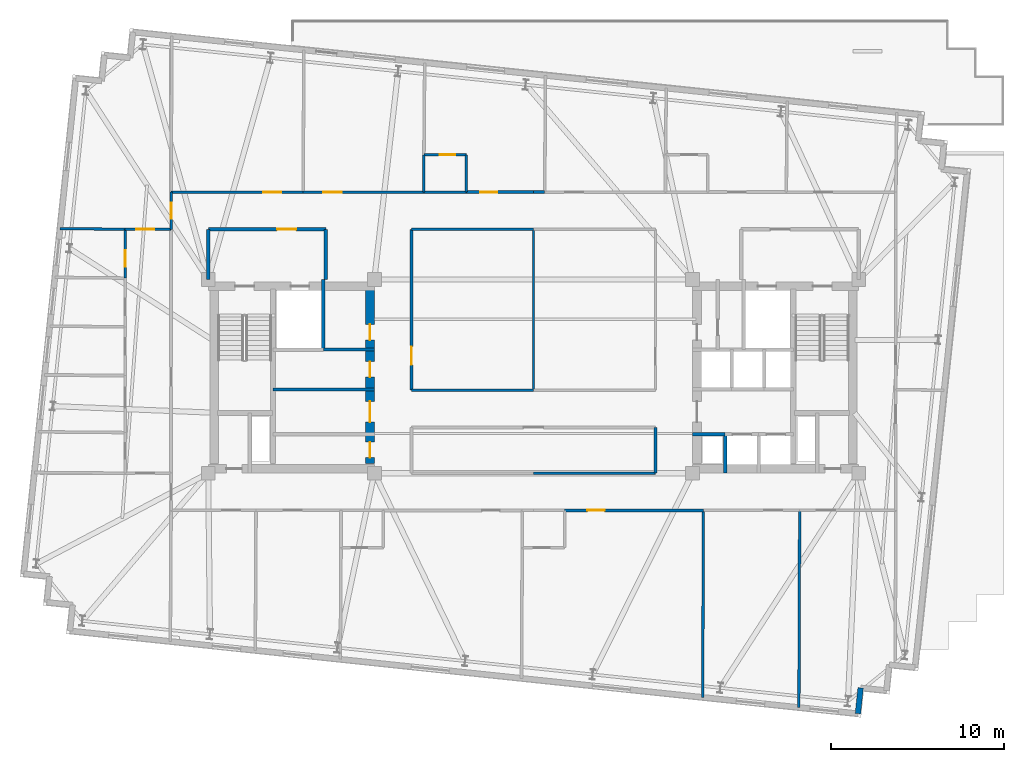
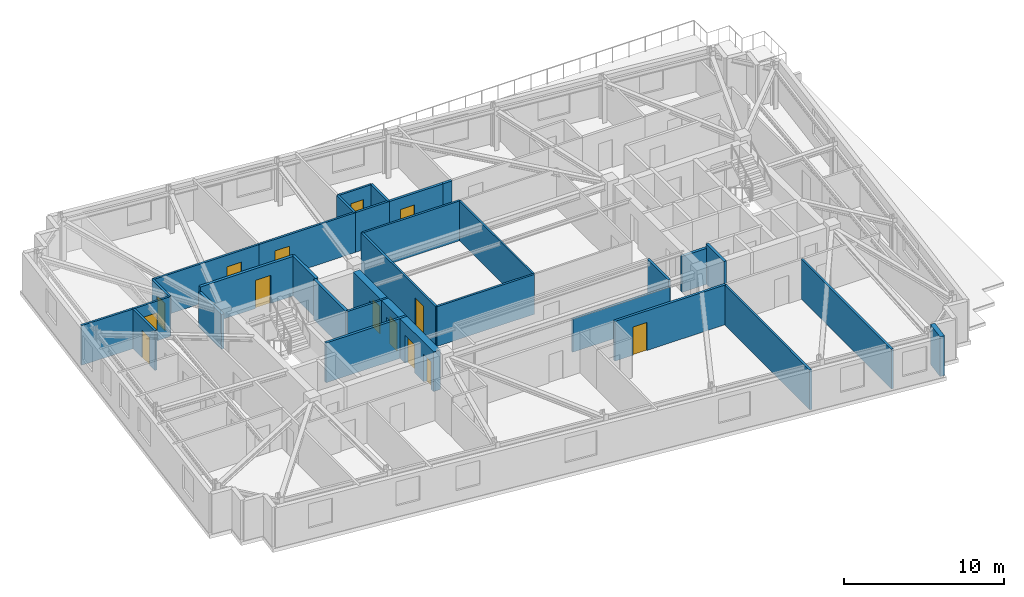
# One storey, part 7 of 13: 31 walls, 14 doors, 14 openings.
"""IFC4 building model written with IfcOpenShell, lengths in metres."""

from ifc_helpers import new_model, si_unit, direction, frame, frame_2d, origin, place, context, subcontext, project, spatial, rectangle, extrude, material, layer, layer_set, type_object, element, fill, save


model = new_model("IFC4")

# Units and contexts
model_context = context("Model", 3, precision=1e-05, world=origin(), true_north=direction((0.0, 1.0)))
body_context = subcontext(model_context, "Body", "Model", "MODEL_VIEW")
ifc_project = project(units=[si_unit("LENGTHUNIT", "METRE"), si_unit("AREAUNIT", "SQUARE_METRE"), si_unit("VOLUMEUNIT", "CUBIC_METRE"), si_unit("PLANEANGLEUNIT", "RADIAN"), si_unit("MASSUNIT", "GRAM", prefix="KILO")], contexts=[model_context])

# Site, building, storey
site_placement = place(None, origin())
site = spatial("IfcSite", under=ifc_project, at=site_placement, CompositionType="ELEMENT")
building_placement = place(site_placement, origin())
building = spatial("IfcBuilding", under=site, at=building_placement, Name="Qobustan Lattice House", CompositionType="ELEMENT")
storey_placement = place(building_placement, frame((0.0, 0.0, 179.64990234375)))
storey = spatial("IfcBuildingStorey", under=building, at=storey_placement, Name="L50", CompositionType="ELEMENT", Elevation=179.64990234375)

# Wall, openings, doors
ifc_material_1 = material(Name="Concrete C50/60", Category="concrete")
ifc_layer_1 = layer(ifc_material_1, 0.5)
ifc_layer_set_1 = layer_set([ifc_layer_1], Name="Concrete C50/60")
wall_type_1 = type_object("IfcWallType", Name="WAL-CORE-500", PredefinedType="SHEAR", material=ifc_layer_set_1)
wall_1_placement = place(storey_placement, frame((-9.449951171875, -5.050048828125, 0.0), z_axis=(0.0, 0.0, 1.0), x_axis=(0.0, 1.0, 0.0)))
wall_1 = element("IfcWall", 1, at=wall_1_placement, inside=storey, type_object=wall_type_1, Name="L50 split-core shear wall CW-E", PredefinedType="SHEAR", context=body_context, shape_type="SweptSolid", body=[
    extrude(rectangle(XDim=10.10009765625, YDim=0.5, at=frame_2d((5.050048828125, 0.0))), origin(), (0.0, 0.0, 1.0), 3.0400390625),
])
opening_1_placement = place(wall_1_placement, frame((7.14990234375, 0.0, 0.0)))
opening_1 = element("IfcOpeningElement", 2, at=opening_1_placement, cuts=wall_1, Name="Opening RD-01", PredefinedType="OPENING", context=body_context, shape_type="SweptSolid", body=[
    extrude(rectangle(XDim=0.89990234375, YDim=2.10009765625, at=frame_2d((0.449951171875, 1.050048828125))), frame((0.0, 0.260009765625, 0.0), z_axis=(0.0, -1.0, 0.0), x_axis=(1.0, 0.0, 0.0)), (0.0, 0.0, 1.0), 0.52001953125),
])
opening_2_placement = place(wall_1_placement, frame((2.39990234375, 0.0, 0.0)))
opening_2 = element("IfcOpeningElement", 3, at=opening_2_placement, cuts=wall_1, Name="Opening FD-01", PredefinedType="OPENING", context=body_context, shape_type="SweptSolid", body=[
    extrude(rectangle(XDim=1.199951171875, YDim=2.14990234375, at=frame_2d((0.60009765625, 1.074951171875))), frame((0.0, 0.260009765625, 0.0), z_axis=(0.0, -1.0, 0.0), x_axis=(1.0, 0.0, 0.0)), (0.0, 0.0, 1.0), 0.52001953125),
])
opening_3_placement = place(wall_1_placement, frame((0.35009765625, 0.0, 0.0)))
opening_3 = element("IfcOpeningElement", 4, at=opening_3_placement, cuts=wall_1, Name="Opening RD-01", PredefinedType="OPENING", context=body_context, shape_type="SweptSolid", body=[
    extrude(rectangle(XDim=0.89990234375, YDim=2.10009765625, at=frame_2d((0.449951171875, 1.050048828125))), frame((0.0, 0.260009765625, 0.0), z_axis=(0.0, -1.0, 0.0), x_axis=(1.0, 0.0, 0.0)), (0.0, 0.0, 1.0), 0.52001953125),
])
opening_4_placement = place(wall_1_placement, frame((5.0, 0.0, 0.0)))
opening_4 = element("IfcOpeningElement", 5, at=opening_4_placement, cuts=wall_1, Name="Opening RD-01", PredefinedType="OPENING", context=body_context, shape_type="SweptSolid", body=[
    extrude(rectangle(XDim=0.89990234375, YDim=2.10009765625, at=frame_2d((0.449951171875, 1.050048828125))), frame((0.0, 0.260009765625, 0.0), z_axis=(0.0, -1.0, 0.0), x_axis=(1.0, 0.0, 0.0)), (0.0, 0.0, 1.0), 0.52001953125),
])
ifc_material_2 = material(Name="Persian walnut timber and steel frame door", Category="steel")
door_type_1 = type_object("IfcDoorType", Name="DOR-LOBBY-FD-1200x2150", OperationType="NOTDEFINED", PredefinedType="DOOR", material=ifc_material_2)
door_1_placement = place(opening_2_placement, origin())
door_1 = element("IfcDoor", 6, at=door_1_placement, inside=storey, type_object=door_type_1, Name="L50 West core foyer fire door", OperationType="SINGLE_SWING_LEFT", OverallHeight=2.14990234375, OverallWidth=1.199951171875, PredefinedType="DOOR", context=body_context, shape_type="SweptSolid", body=[
    extrude(rectangle(XDim=1.199951171875, YDim=2.14990234375, at=frame_2d((0.60009765625, 1.074951171875))), frame((0.0, 0.02490234375, 0.0), z_axis=(0.0, -1.0, 0.0), x_axis=(1.0, 0.0, 0.0)), (0.0, 0.0, 1.0), 0.050048828125),
])
fill(opening_2, door_1)
ifc_material_3 = material(Name="Persian walnut timber and steel frame door", Category="steel")
door_type_2 = type_object("IfcDoorType", Name="DOR-RISER-FD-900x2100", OperationType="NOTDEFINED", PredefinedType="DOOR", material=ifc_material_3)
door_2_placement = place(opening_1_placement, origin())
door_2 = element("IfcDoor", 7, at=door_2_placement, inside=storey, type_object=door_type_2, Name="L50 Floor tea pantry fire door", OperationType="SINGLE_SWING_RIGHT", OverallHeight=2.10009765625, OverallWidth=0.89990234375, PredefinedType="DOOR", context=body_context, shape_type="SweptSolid", body=[
    extrude(rectangle(XDim=0.89990234375, YDim=2.10009765625, at=frame_2d((0.449951171875, 1.050048828125))), frame((0.0, 0.02490234375, 0.0), z_axis=(0.0, -1.0, 0.0), x_axis=(1.0, 0.0, 0.0)), (0.0, 0.0, 1.0), 0.050048828125),
])
fill(opening_1, door_2)
door_3_placement = place(opening_3_placement, origin())
door_3 = element("IfcDoor", 8, at=door_3_placement, inside=storey, type_object=door_type_2, Name="L50 Tutorial seminar salon fire door", OperationType="SINGLE_SWING_RIGHT", OverallHeight=2.10009765625, OverallWidth=0.89990234375, PredefinedType="DOOR", context=body_context, shape_type="SweptSolid", body=[
    extrude(rectangle(XDim=0.89990234375, YDim=2.10009765625, at=frame_2d((0.449951171875, 1.050048828125))), frame((0.0, 0.02490234375, 0.0), z_axis=(0.0, -1.0, 0.0), x_axis=(1.0, 0.0, 0.0)), (0.0, 0.0, 1.0), 0.050048828125),
])
fill(opening_3, door_3)
door_4_placement = place(opening_4_placement, origin())
door_4 = element("IfcDoor", 9, at=door_4_placement, inside=storey, type_object=door_type_2, Name="L50 Copy and tea hub fire door", OperationType="SINGLE_SWING_LEFT", OverallHeight=2.10009765625, OverallWidth=0.89990234375, PredefinedType="DOOR", context=body_context, shape_type="SweptSolid", body=[
    extrude(rectangle(XDim=0.89990234375, YDim=2.10009765625, at=frame_2d((0.449951171875, 1.050048828125))), frame((0.0, 0.02490234375, 0.0), z_axis=(0.0, -1.0, 0.0), x_axis=(1.0, 0.0, 0.0)), (0.0, 0.0, 1.0), 0.050048828125),
])
fill(opening_4, door_4)

# Walls
ifc_material_4 = material(Name="Precast concrete C40/50", Category="concrete")
ifc_layer_2 = layer(ifc_material_4, 0.320068359375)
ifc_layer_set_2 = layer_set([ifc_layer_2], Name="Precast concrete C40/50")
wall_type_2 = type_object("IfcWallType", Name="WAL-EXT-STONE-320", PredefinedType="SOLIDWALL", material=ifc_layer_set_2)
wall_2_placement = place(storey_placement, frame((18.91259765625, -18.006591796875, 0.0), z_axis=(0.0, 0.0, 1.0), x_axis=(-0.104498377516, -0.994525057048, 0.0)))
element("IfcWall", 10, at=wall_2_placement, inside=storey, type_object=wall_type_2, Name="L50 exterior limestone-clad wall 19", PredefinedType="SOLIDWALL", context=body_context, shape_type="SweptSolid", body=[
    extrude(rectangle(XDim=1.5, YDim=0.320068359375, at=frame_2d((0.75, 0.0))), origin(), (0.0, 0.0, 1.0), 3.0400390625),
])
ifc_material_5 = material(Name="Gypsum fireboard acoustic partition", Category="gypsum")
ifc_layer_3 = layer(ifc_material_5, 0.179931640625)
ifc_layer_set_3 = layer_set([ifc_layer_3], Name="Gypsum fireboard acoustic partition")
wall_type_3 = type_object("IfcWallType", Name="WAL-FIRE-180", PredefinedType="PARTITIONING", material=ifc_layer_set_3)
wall_3_placement = place(storey_placement, frame((-9.199951171875, -0.75, 0.0), z_axis=(0.0, 0.0, 1.0), x_axis=(-1.0, 0.0, 0.0)))
element("IfcWall", 11, at=wall_3_placement, inside=storey, type_object=wall_type_3, Name="L50 interior partition 9", PredefinedType="PARTITIONING", context=body_context, shape_type="SweptSolid", body=[
    extrude(rectangle(XDim=5.85009765625, YDim=0.179931640625, at=frame_2d((2.925048828125, 0.0))), origin(), (0.0, 0.0, 1.0), 3.0400390625),
])

# Wall, opening, door
wall_4_placement = place(storey_placement, frame((-3.883056640625, 10.64990234375, 0.0), z_axis=(0.0, 0.0, 1.0), x_axis=(1.0, 0.0, 0.0)))
wall_4 = element("IfcWall", 12, at=wall_4_placement, inside=storey, type_object=wall_type_3, Name="L50 interior partition 34", PredefinedType="PARTITIONING", context=body_context, shape_type="SweptSolid", body=[
    extrude(rectangle(XDim=3.883056640625, YDim=0.179931640625, at=frame_2d((1.94140625, 0.0))), origin(), (0.0, 0.0, 1.0), 3.0400390625),
])
opening_5_placement = place(wall_4_placement, frame((0.79541015625, 0.0, 0.0)))
opening_5 = element("IfcOpeningElement", 13, at=opening_5_placement, cuts=wall_4, Name="Opening FD-02", PredefinedType="OPENING", context=body_context, shape_type="SweptSolid", body=[
    extrude(rectangle(XDim=1.0, YDim=2.14990234375, at=frame_2d((0.5, 1.074951171875))), frame((0.0, 0.099853515625, 0.0), z_axis=(0.0, -1.0, 0.0), x_axis=(1.0, 0.0, 0.0)), (0.0, 0.0, 1.0), 0.199951171875),
])
ifc_material_6 = material(Name="Persian walnut timber and steel frame door", Category="steel")
door_type_3 = type_object("IfcDoorType", Name="DOR-UNIT-FD-1000x2150", OperationType="NOTDEFINED", PredefinedType="DOOR", material=ifc_material_6)
door_5_placement = place(opening_5_placement, origin())
door_5 = element("IfcDoor", 14, at=door_5_placement, inside=storey, type_object=door_type_3, Name="L50 North-west floor corridor to Kitchenette and studio apartment L50-N3 door", OperationType="SINGLE_SWING_LEFT", OverallHeight=2.14990234375, OverallWidth=1.0, PredefinedType="DOOR", context=body_context, shape_type="SweptSolid", body=[
    extrude(rectangle(XDim=1.0, YDim=2.14990234375, at=frame_2d((0.5, 1.074951171875))), frame((0.0, 0.02490234375, 0.0), z_axis=(0.0, -1.0, 0.0), x_axis=(1.0, 0.0, 0.0)), (0.0, 0.0, 1.0), 0.050048828125),
])
fill(opening_5, door_5)

# Wall
wall_5_placement = place(storey_placement, frame((0.0, 10.64990234375, 0.0), z_axis=(0.0, 0.0, 1.0), x_axis=(1.0, 0.0, 0.0)))
element("IfcWall", 15, at=wall_5_placement, inside=storey, type_object=wall_type_3, Name="L50 interior partition 38", PredefinedType="PARTITIONING", context=body_context, shape_type="SweptSolid", body=[
    extrude(rectangle(XDim=0.64990234375, YDim=0.179931640625, at=frame_2d((0.324951171875, 0.0))), origin(), (0.0, 0.0, 1.0), 3.0400390625),
])

# Wall, opening, door
wall_6_placement = place(storey_placement, frame((9.824951171875, -7.75, 0.0), z_axis=(0.0, 0.0, 1.0), x_axis=(-1.0, 0.0, 0.0)))
wall_6 = element("IfcWall", 16, at=wall_6_placement, inside=storey, type_object=wall_type_3, Name="L50 interior partition 52", PredefinedType="PARTITIONING", context=body_context, shape_type="SweptSolid", body=[
    extrude(rectangle(XDim=8.02490234375, YDim=0.179931640625, at=frame_2d((4.012451171875, 0.0))), origin(), (0.0, 0.0, 1.0), 3.0400390625),
])
opening_6_placement = place(wall_6_placement, frame((5.7119140625, 0.0, 0.0)))
opening_6 = element("IfcOpeningElement", 17, at=opening_6_placement, cuts=wall_6, Name="Opening FD-02", PredefinedType="OPENING", context=body_context, shape_type="SweptSolid", body=[
    extrude(rectangle(XDim=1.0, YDim=2.14990234375, at=frame_2d((0.5, 1.074951171875))), frame((0.0, 0.099853515625, 0.0), z_axis=(0.0, -1.0, 0.0), x_axis=(1.0, 0.0, 0.0)), (0.0, 0.0, 1.0), 0.199951171875),
])
door_6_placement = place(opening_6_placement, origin())
door_6 = element("IfcDoor", 18, at=door_6_placement, inside=storey, type_object=door_type_3, Name="L50 South-east floor corridor to Kitchenette and studio apartment L50-S3 door", OperationType="SINGLE_SWING_LEFT", OverallHeight=2.14990234375, OverallWidth=1.0, PredefinedType="DOOR", context=body_context, shape_type="SweptSolid", body=[
    extrude(rectangle(XDim=1.0, YDim=2.14990234375, at=frame_2d((0.5, 1.074951171875))), frame((0.0, 0.02490234375, 0.0), z_axis=(0.0, -1.0, 0.0), x_axis=(1.0, 0.0, 0.0)), (0.0, 0.0, 1.0), 0.050048828125),
])
fill(opening_6, door_6)

# Walls
ifc_material_7 = material(Name="Lightweight acoustic stud partition", Category="gypsum")
ifc_layer_4 = layer(ifc_material_7, 0.125)
ifc_layer_set_4 = layer_set([ifc_layer_4], Name="Lightweight acoustic stud partition")
wall_type_4 = type_object("IfcWallType", Name="WAL-PART-125", PredefinedType="PARTITIONING", material=ifc_layer_set_4)
wall_7_placement = place(storey_placement, frame((0.0, 8.5, 0.0), z_axis=(0.0, 0.0, 1.0), x_axis=(0.0, -1.0, 0.0)))
element("IfcWall", 19, at=wall_7_placement, inside=storey, type_object=wall_type_4, Name="L50 interior partition 107", PredefinedType="PARTITIONING", context=body_context, shape_type="SweptSolid", body=[
    extrude(rectangle(XDim=9.300048828125, YDim=0.125, at=frame_2d((4.64990234375, 0.0))), origin(), (0.0, 0.0, 1.0), 3.0400390625),
])
ifc_material_8 = material(Name="Acoustic twin-stud gypsum partition", Category="gypsum")
ifc_layer_5 = layer(ifc_material_8, 0.14990234375)
ifc_layer_set_5 = layer_set([ifc_layer_5], Name="Acoustic twin-stud gypsum partition")
wall_type_5 = type_object("IfcWallType", Name="WAL-PART-150", PredefinedType="PARTITIONING", material=ifc_layer_set_5)
wall_8_placement = place(storey_placement, frame((-12.14990234375, 1.550048828125, 0.0), z_axis=(0.0, 0.0, 1.0), x_axis=(1.0, 0.0, 0.0)))
element("IfcWall", 20, at=wall_8_placement, inside=storey, type_object=wall_type_5, Name="L50 interior partition 6", PredefinedType="PARTITIONING", context=body_context, shape_type="SweptSolid", body=[
    extrude(rectangle(XDim=2.949951171875, YDim=0.14990234375, at=frame_2d((1.47509765625, 0.0))), origin(), (0.0, 0.0, 1.0), 3.0400390625),
])

# Wall, opening, door
wall_9_placement = place(storey_placement, frame((-20.949951171875, 8.5, 0.0), z_axis=(0.0, 0.0, 1.0), x_axis=(0.0, 1.0, 0.0)))
wall_9 = element("IfcWall", 21, at=wall_9_placement, inside=storey, type_object=wall_type_5, Name="L50 interior partition 31", PredefinedType="PARTITIONING", context=body_context, shape_type="SweptSolid", body=[
    extrude(rectangle(XDim=2.14990234375, YDim=0.14990234375, at=frame_2d((1.074951171875, 0.0))), origin(), (0.0, 0.0, 1.0), 3.0400390625),
])
opening_7_placement = place(wall_9_placement, frame((0.625, 0.0, 0.0)))
opening_7 = element("IfcOpeningElement", 22, at=opening_7_placement, cuts=wall_9, Name="Opening WD-01", PredefinedType="OPENING", context=body_context, shape_type="SweptSolid", body=[
    extrude(rectangle(XDim=0.89990234375, YDim=2.10009765625, at=frame_2d((0.449951171875, 1.050048828125))), frame((0.0, 0.0849609375, 0.0), z_axis=(0.0, -1.0, 0.0), x_axis=(1.0, 0.0, 0.0)), (0.0, 0.0, 1.0), 0.169921875),
])
ifc_material_9 = material(Name="Persian walnut timber and steel frame door", Category="steel")
door_type_4 = type_object("IfcDoorType", Name="DOR-WET-900x2100", OperationType="NOTDEFINED", PredefinedType="DOOR", material=ifc_material_9)
door_7_placement = place(opening_7_placement, origin())
door_7 = element("IfcDoor", 23, at=door_7_placement, inside=storey, type_object=door_type_4, Name="L50 North-west floor corridor to Reading study room L50WN door", OperationType="SINGLE_SWING_RIGHT", OverallHeight=2.10009765625, OverallWidth=0.89990234375, PredefinedType="DOOR", context=body_context, shape_type="SweptSolid", body=[
    extrude(rectangle(XDim=0.89990234375, YDim=2.10009765625, at=frame_2d((0.449951171875, 1.050048828125))), frame((0.0, 0.02490234375, 0.0), z_axis=(0.0, -1.0, 0.0), x_axis=(1.0, 0.0, 0.0)), (0.0, 0.0, 1.0), 0.050048828125),
])
fill(opening_7, door_7)

wall_10_placement = place(storey_placement, frame((-20.949951171875, 10.64990234375, 0.0), z_axis=(0.0, 0.0, 1.0), x_axis=(1.0, 0.0, 0.0)))
wall_10 = element("IfcWall", 24, at=wall_10_placement, inside=storey, type_object=wall_type_5, Name="L50 interior partition 32", PredefinedType="PARTITIONING", context=body_context, shape_type="SweptSolid", body=[
    extrude(rectangle(XDim=7.633056640625, YDim=0.14990234375, at=frame_2d((3.81640625, 0.0))), origin(), (0.0, 0.0, 1.0), 3.0400390625),
])
opening_8_placement = place(wall_10_placement, frame((5.3251953125, 0.0, 0.0)))
opening_8 = element("IfcOpeningElement", 25, at=opening_8_placement, cuts=wall_10, Name="Opening ID-02", PredefinedType="OPENING", context=body_context, shape_type="SweptSolid", body=[
    extrude(rectangle(XDim=1.050048828125, YDim=2.14990234375, at=frame_2d((0.52490234375, 1.074951171875))), frame((0.0, 0.0849609375, 0.0), z_axis=(0.0, -1.0, 0.0), x_axis=(1.0, 0.0, 0.0)), (0.0, 0.0, 1.0), 0.169921875),
])
ifc_material_10 = material(Name="Persian walnut timber and steel frame door", Category="steel")
door_type_5 = type_object("IfcDoorType", Name="DOR-STUDY-1050x2150", OperationType="NOTDEFINED", PredefinedType="DOOR", material=ifc_material_10)
door_8_placement = place(opening_8_placement, origin())
door_8 = element("IfcDoor", 26, at=door_8_placement, inside=storey, type_object=door_type_5, Name="L50 North-west floor corridor to Focus study room N1 door", OperationType="SINGLE_SWING_LEFT", OverallHeight=2.14990234375, OverallWidth=1.050048828125, PredefinedType="DOOR", context=body_context, shape_type="SweptSolid", body=[
    extrude(rectangle(XDim=1.050048828125, YDim=2.14990234375, at=frame_2d((0.52490234375, 1.074951171875))), frame((0.0, 0.02490234375, 0.0), z_axis=(0.0, -1.0, 0.0), x_axis=(1.0, 0.0, 0.0)), (0.0, 0.0, 1.0), 0.050048828125),
])
fill(opening_8, door_8)

wall_11_placement = place(storey_placement, frame((-13.31689453125, 10.64990234375, 0.0), z_axis=(0.0, 0.0, 1.0), x_axis=(1.0, 0.0, 0.0)))
wall_11 = element("IfcWall", 27, at=wall_11_placement, inside=storey, type_object=wall_type_5, Name="L50 interior partition 33", PredefinedType="PARTITIONING", context=body_context, shape_type="SweptSolid", body=[
    extrude(rectangle(XDim=6.98388671875, YDim=0.14990234375, at=frame_2d((3.491943359375, 0.0))), origin(), (0.0, 0.0, 1.0), 3.0400390625),
])
opening_9_placement = place(wall_11_placement, frame((1.1767578125, 0.0, 0.0)))
opening_9 = element("IfcOpeningElement", 28, at=opening_9_placement, cuts=wall_11, Name="Opening ID-02", PredefinedType="OPENING", context=body_context, shape_type="SweptSolid", body=[
    extrude(rectangle(XDim=1.050048828125, YDim=2.14990234375, at=frame_2d((0.52490234375, 1.074951171875))), frame((0.0, 0.0849609375, 0.0), z_axis=(0.0, -1.0, 0.0), x_axis=(1.0, 0.0, 0.0)), (0.0, 0.0, 1.0), 0.169921875),
])
door_9_placement = place(opening_9_placement, origin())
door_9 = element("IfcDoor", 29, at=door_9_placement, inside=storey, type_object=door_type_5, Name="L50 North-west floor corridor to Sky terrace lounge N2 door", OperationType="SINGLE_SWING_RIGHT", OverallHeight=2.14990234375, OverallWidth=1.050048828125, PredefinedType="DOOR", context=body_context, shape_type="SweptSolid", body=[
    extrude(rectangle(XDim=1.050048828125, YDim=2.14990234375, at=frame_2d((0.52490234375, 1.074951171875))), frame((0.0, 0.02490234375, 0.0), z_axis=(0.0, -1.0, 0.0), x_axis=(1.0, 0.0, 0.0)), (0.0, 0.0, 1.0), 0.050048828125),
])
fill(opening_9, door_9)

# Walls
for number, where, z_axis, x_axis, name in (
    (30, (0.0, 8.5, 0.0), (0.0, 0.0, 1.0), (-1.0, 0.0, 0.0), "L50 interior partition 36"),
    (31, (-7.050048828125, -0.800048828125, 0.0), (0.0, 0.0, 1.0), (1.0, 0.0, 0.0), "L50 interior partition 60"),
):
    element("IfcWall", number, at=place(storey_placement, frame(where, z_axis=z_axis, x_axis=x_axis)), inside=storey, type_object=wall_type_5, Name=name, PredefinedType="PARTITIONING", context=body_context, shape_type="SweptSolid", body=[
        extrude(rectangle(XDim=7.050048828125, YDim=0.14990234375, at=frame_2d((3.52490234375, 0.0))), origin(), (0.0, 0.0, 1.0), 3.0400390625),
    ])

# Wall, opening, door
wall_12_placement = place(storey_placement, frame((-7.050048828125, 8.5, 0.0), z_axis=(0.0, 0.0, 1.0), x_axis=(0.0, -1.0, 0.0)))
wall_12 = element("IfcWall", 32, at=wall_12_placement, inside=storey, type_object=wall_type_5, Name="L50 interior partition 63", PredefinedType="PARTITIONING", context=body_context, shape_type="SweptSolid", body=[
    extrude(rectangle(XDim=9.300048828125, YDim=0.14990234375, at=frame_2d((4.64990234375, 0.0))), origin(), (0.0, 0.0, 1.0), 3.0400390625),
])
opening_10_placement = place(wall_12_placement, frame((6.78369140625, 0.0, 0.0)))
opening_10 = element("IfcOpeningElement", 33, at=opening_10_placement, cuts=wall_12, Name="Opening ID-02", PredefinedType="OPENING", context=body_context, shape_type="SweptSolid", body=[
    extrude(rectangle(XDim=1.050048828125, YDim=2.14990234375, at=frame_2d((0.52490234375, 1.074951171875))), frame((0.0, 0.0849609375, 0.0), z_axis=(0.0, -1.0, 0.0), x_axis=(1.0, 0.0, 0.0)), (0.0, 0.0, 1.0), 0.169921875),
])
door_10_placement = place(opening_10_placement, origin())
door_10 = element("IfcDoor", 34, at=door_10_placement, inside=storey, type_object=door_type_5, Name="L50 West floor link corridor to Central study commons door", OperationType="SINGLE_SWING_RIGHT", OverallHeight=2.14990234375, OverallWidth=1.050048828125, PredefinedType="DOOR", context=body_context, shape_type="SweptSolid", body=[
    extrude(rectangle(XDim=1.050048828125, YDim=2.14990234375, at=frame_2d((0.52490234375, 1.074951171875))), frame((0.0, 0.02490234375, 0.0), z_axis=(0.0, -1.0, 0.0), x_axis=(1.0, 0.0, 0.0)), (0.0, 0.0, 1.0), 0.050048828125),
])
fill(opening_10, door_10)

wall_13_placement = place(storey_placement, frame((-23.60009765625, 8.5, 0.0), z_axis=(0.0, 0.0, 1.0), x_axis=(1.0, 0.0, 0.0)))
wall_13 = element("IfcWall", 35, at=wall_13_placement, inside=storey, type_object=wall_type_5, Name="L50 interior partition 67", PredefinedType="PARTITIONING", context=body_context, shape_type="SweptSolid", body=[
    extrude(rectangle(XDim=2.650146484375, YDim=0.14990234375, at=frame_2d((1.3251953125, 0.0))), origin(), (0.0, 0.0, 1.0), 3.0400390625),
])
opening_11_placement = place(wall_13_placement, frame((0.635009765625, 0.0, 0.0)))
opening_11 = element("IfcOpeningElement", 36, at=opening_11_placement, cuts=wall_13, Name="Opening ID-02", PredefinedType="OPENING", context=body_context, shape_type="SweptSolid", body=[
    extrude(rectangle(XDim=1.050048828125, YDim=2.14990234375, at=frame_2d((0.52490234375, 1.074951171875))), frame((0.0, 0.0849609375, 0.0), z_axis=(0.0, -1.0, 0.0), x_axis=(1.0, 0.0, 0.0)), (0.0, 0.0, 1.0), 0.169921875),
])
door_11_placement = place(opening_11_placement, origin())
door_11 = element("IfcDoor", 37, at=door_11_placement, inside=storey, type_object=door_type_5, Name="L50 Residence entrance hall L50W to Reading study room L50WN door", OperationType="SINGLE_SWING_RIGHT", OverallHeight=2.14990234375, OverallWidth=1.050048828125, PredefinedType="DOOR", context=body_context, shape_type="SweptSolid", body=[
    extrude(rectangle(XDim=1.050048828125, YDim=2.14990234375, at=frame_2d((0.52490234375, 1.074951171875))), frame((0.0, 0.02490234375, 0.0), z_axis=(0.0, -1.0, 0.0), x_axis=(1.0, 0.0, 0.0)), (0.0, 0.0, 1.0), 0.050048828125),
])
fill(opening_11, door_11)

wall_14_placement = place(storey_placement, frame((-23.60009765625, 5.679931640625, 0.0), z_axis=(0.0, 0.0, 1.0), x_axis=(0.0, 1.0, 0.0)))
wall_14 = element("IfcWall", 38, at=wall_14_placement, inside=storey, type_object=wall_type_5, Name="L50 interior partition 73", PredefinedType="PARTITIONING", context=body_context, shape_type="SweptSolid", body=[
    extrude(rectangle(XDim=2.820068359375, YDim=0.14990234375, at=frame_2d((1.41015625, 0.0))), origin(), (0.0, 0.0, 1.0), 3.0400390625),
])
opening_12_placement = place(wall_14_placement, frame((0.668701171875, 0.0, 0.0)))
opening_12 = element("IfcOpeningElement", 39, at=opening_12_placement, cuts=wall_14, Name="Opening ID-01", PredefinedType="OPENING", context=body_context, shape_type="SweptSolid", body=[
    extrude(rectangle(XDim=0.949951171875, YDim=2.10009765625, at=frame_2d((0.47509765625, 1.050048828125))), frame((0.0, 0.0849609375, 0.0), z_axis=(0.0, -1.0, 0.0), x_axis=(1.0, 0.0, 0.0)), (0.0, 0.0, 1.0), 0.169921875),
])
ifc_material_11 = material(Name="Persian walnut timber and steel frame door", Category="steel")
door_type_6 = type_object("IfcDoorType", Name="DOR-ROOM-950x2100", OperationType="NOTDEFINED", PredefinedType="DOOR", material=ifc_material_11)
door_12_placement = place(opening_12_placement, origin())
door_12 = element("IfcDoor", 40, at=door_12_placement, inside=storey, type_object=door_type_6, Name="L50 Residence entrance hall L50W to Cluster bedroom L50W3 door", OperationType="SINGLE_SWING_RIGHT", OverallHeight=2.10009765625, OverallWidth=0.949951171875, PredefinedType="DOOR", context=body_context, shape_type="SweptSolid", body=[
    extrude(rectangle(XDim=0.949951171875, YDim=2.10009765625, at=frame_2d((0.47509765625, 1.050048828125))), frame((0.0, 0.02490234375, 0.0), z_axis=(0.0, -1.0, 0.0), x_axis=(1.0, 0.0, 0.0)), (0.0, 0.0, 1.0), 0.050048828125),
])
fill(opening_12, door_12)

# Walls
wall_15_placement = place(storey_placement, frame((-23.60009765625, 8.5, 0.0), z_axis=(0.0, 0.0, 1.0), x_axis=(-0.999931911052, 0.011669329875, 0.0)))
element("IfcWall", 41, at=wall_15_placement, inside=storey, type_object=wall_type_5, Name="L50 interior partition 74", PredefinedType="PARTITIONING", context=body_context, shape_type="SweptSolid", body=[
    extrude(rectangle(XDim=3.765869140625, YDim=0.14990234375, at=frame_2d((1.8828125, 0.0))), origin(), (0.0, 0.0, 1.0), 3.0400390625),
])
wall_16_placement = place(storey_placement, frame((9.824951171875, -7.75, 0.0), z_axis=(0.0, 0.0, 1.0), x_axis=(-0.004067027686, -0.999991729609, 0.0)))
element("IfcWall", 42, at=wall_16_placement, inside=storey, type_object=wall_type_5, Name="L50 interior partition 105", PredefinedType="PARTITIONING", context=body_context, shape_type="SweptSolid", body=[
    extrude(rectangle(XDim=10.80517578125, YDim=0.14990234375, at=frame_2d((5.402587890625, 0.0))), origin(), (0.0, 0.0, 1.0), 3.0400390625),
])
wall_17_placement = place(storey_placement, frame((15.387451171875, -7.75, 0.0), z_axis=(0.0, 0.0, 1.0), x_axis=(-0.003858244063, -0.999992556949, 0.0)))
element("IfcWall", 43, at=wall_17_placement, inside=storey, type_object=wall_type_5, Name="L50 interior partition 106", PredefinedType="PARTITIONING", context=body_context, shape_type="SweptSolid", body=[
    extrude(rectangle(XDim=11.389892578125, YDim=0.14990234375, at=frame_2d((5.69482421875, 0.0))), origin(), (0.0, 0.0, 1.0), 3.0400390625),
])
ifc_material_12 = material(Name="High-mass acoustic twin-stud partition", Category="gypsum")
ifc_layer_6 = layer(ifc_material_12, 0.1650390625)
ifc_layer_set_6 = layer_set([ifc_layer_6], Name="High-mass acoustic twin-stud partition")
wall_type_6 = type_object("IfcWallType", Name="WAL-PART-165", PredefinedType="PARTITIONING", material=ifc_layer_set_6)
wall_18_placement = place(storey_placement, frame((0.0, -5.60009765625, 0.0), z_axis=(0.0, 0.0, 1.0), x_axis=(1.0, 0.0, 0.0)))
element("IfcWall", 44, at=wall_18_placement, inside=storey, type_object=wall_type_6, Name="L50 interior partition 56", PredefinedType="PARTITIONING", context=body_context, shape_type="SweptSolid", body=[
    extrude(rectangle(XDim=7.050048828125, YDim=0.1650390625, at=frame_2d((3.52490234375, 0.0))), origin(), (0.0, 0.0, 1.0), 2.525146484375),
])
wall_19_placement = place(storey_placement, frame((7.050048828125, -5.60009765625, 0.0), z_axis=(0.0, 0.0, 1.0), x_axis=(0.0, 1.0, 0.0)))
element("IfcWall", 45, at=wall_19_placement, inside=storey, type_object=wall_type_6, Name="L50 interior partition 66", PredefinedType="PARTITIONING", context=body_context, shape_type="SweptSolid", body=[
    extrude(rectangle(XDim=2.650146484375, YDim=0.1650390625, at=frame_2d((1.3251953125, 0.0))), origin(), (0.0, 0.0, 1.0), 3.0400390625),
])

# Wall, opening, door
ifc_material_13 = material(Name="Two-hour gypsum fireboard acoustic partition", Category="gypsum")
ifc_layer_7 = layer(ifc_material_13, 0.199951171875)
ifc_layer_set_7 = layer_set([ifc_layer_7], Name="Two-hour gypsum fireboard acoustic partition")
wall_type_7 = type_object("IfcWallType", Name="WAL-PROT-200", PredefinedType="PARTITIONING", material=ifc_layer_set_7)
wall_20_placement = place(storey_placement, frame((-12.0, 8.5, 0.0), z_axis=(0.0, 0.0, 1.0), x_axis=(-1.0, 0.0, 0.0)))
wall_20 = element("IfcWall", 46, at=wall_20_placement, inside=storey, type_object=wall_type_7, Name="L50 interior partition 3", PredefinedType="PARTITIONING", context=body_context, shape_type="SweptSolid", body=[
    extrude(rectangle(XDim=6.800048828125, YDim=0.199951171875, at=frame_2d((3.39990234375, 0.0))), origin(), (0.0, 0.0, 1.0), 3.0400390625),
])
opening_13_placement = place(wall_20_placement, frame((1.715087890625, 0.0, 0.0)))
opening_13 = element("IfcOpeningElement", 47, at=opening_13_placement, cuts=wall_20, Name="Opening SD-01", PredefinedType="OPENING", context=body_context, shape_type="SweptSolid", body=[
    extrude(rectangle(XDim=1.10009765625, YDim=2.14990234375, at=frame_2d((0.550048828125, 1.074951171875))), frame((0.0, 0.10986328125, 0.0), z_axis=(0.0, -1.0, 0.0), x_axis=(1.0, 0.0, 0.0)), (0.0, 0.0, 1.0), 0.219970703125),
])
ifc_material_14 = material(Name="Persian walnut timber and steel frame door", Category="steel")
door_type_7 = type_object("IfcDoorType", Name="DOR-STAIR-FD-1100x2150", OperationType="NOTDEFINED", PredefinedType="DOOR", material=ifc_material_14)
door_13_placement = place(opening_13_placement, origin())
door_13 = element("IfcDoor", 48, at=door_13_placement, inside=storey, type_object=door_type_7, Name="L50 West firefighting lift lobby to North-west floor corridor door", OperationType="SINGLE_SWING_LEFT", OverallHeight=2.14990234375, OverallWidth=1.10009765625, PredefinedType="DOOR", context=body_context, shape_type="SweptSolid", body=[
    extrude(rectangle(XDim=1.10009765625, YDim=2.14990234375, at=frame_2d((0.550048828125, 1.074951171875))), frame((0.0, 0.02490234375, 0.0), z_axis=(0.0, -1.0, 0.0), x_axis=(1.0, 0.0, 0.0)), (0.0, 0.0, 1.0), 0.050048828125),
])
fill(opening_13, door_13)

# Walls
wall_21_placement = place(storey_placement, frame((-18.800048828125, 8.5, 0.0), z_axis=(0.0, 0.0, 1.0), x_axis=(0.0, -1.0, 0.0)))
element("IfcWall", 49, at=wall_21_placement, inside=storey, type_object=wall_type_7, Name="L50 interior partition 4", PredefinedType="PARTITIONING", context=body_context, shape_type="SweptSolid", body=[
    extrude(rectangle(XDim=2.89990234375, YDim=0.199951171875, at=frame_2d((1.449951171875, 0.0))), origin(), (0.0, 0.0, 1.0), 2.6650390625),
])
wall_22_placement = place(storey_placement, frame((-12.0, 5.60009765625, 0.0), z_axis=(0.0, 0.0, 1.0), x_axis=(0.0, 1.0, 0.0)))
element("IfcWall", 50, at=wall_22_placement, inside=storey, type_object=wall_type_7, Name="L50 interior partition 5", PredefinedType="PARTITIONING", context=body_context, shape_type="SweptSolid", body=[
    extrude(rectangle(XDim=2.89990234375, YDim=0.199951171875, at=frame_2d((1.449951171875, 0.0))), origin(), (0.0, 0.0, 1.0), 3.0400390625),
])
ifc_material_15 = material(Name="Concrete C40/50", Category="concrete")
ifc_layer_8 = layer(ifc_material_15, 0.199951171875)
ifc_layer_set_8 = layer_set([ifc_layer_8], Name="Concrete C40/50")
wall_type_8 = type_object("IfcWallType", Name="WAL-SHAFT-200", PredefinedType="PARTITIONING", material=ifc_layer_set_8)
wall_23_placement = place(storey_placement, frame((-12.14990234375, 1.550048828125, 0.0), z_axis=(0.0, 0.0, 1.0), x_axis=(0.0, 1.0, 0.0)))
element("IfcWall", 51, at=wall_23_placement, inside=storey, type_object=wall_type_8, Name="L50 interior partition 2", PredefinedType="PARTITIONING", context=body_context, shape_type="SweptSolid", body=[
    extrude(rectangle(XDim=4.050048828125, YDim=0.199951171875, at=frame_2d((2.02490234375, 0.0))), origin(), (0.0, 0.0, 1.0), 3.0400390625),
])
wall_24_placement = place(storey_placement, frame((9.199951171875, -3.35009765625, 0.0), z_axis=(0.0, 0.0, 1.0), x_axis=(1.0, 0.0, 0.0)))
element("IfcWall", 52, at=wall_24_placement, inside=storey, type_object=wall_type_8, Name="L50 interior partition 20", PredefinedType="PARTITIONING", context=body_context, shape_type="SweptSolid", body=[
    extrude(rectangle(XDim=1.880126953125, YDim=0.199951171875, at=frame_2d((0.93994140625, 0.0))), origin(), (0.0, 0.0, 1.0), 2.755126953125),
])
wall_25_placement = place(storey_placement, frame((11.080078125, -5.60009765625, 0.0), z_axis=(0.0, 0.0, 1.0), x_axis=(0.0, 1.0, 0.0)))
element("IfcWall", 53, at=wall_25_placement, inside=storey, type_object=wall_type_8, Name="L50 interior partition 27", PredefinedType="PARTITIONING", context=body_context, shape_type="SweptSolid", body=[
    extrude(rectangle(XDim=2.25, YDim=0.199951171875, at=frame_2d((1.125, 0.0))), origin(), (0.0, 0.0, 1.0), 3.0400390625),
])
ifc_material_16 = material(Name="Moisture-resistant acoustic plumbing wall", Category="gypsum")
ifc_layer_9 = layer(ifc_material_16, 0.14990234375)
ifc_layer_set_9 = layer_set([ifc_layer_9], Name="Moisture-resistant acoustic plumbing wall")
wall_type_9 = type_object("IfcWallType", Name="WAL-WET-150", PredefinedType="PLUMBINGWALL", material=ifc_layer_set_9)
wall_26_placement = place(storey_placement, frame((-6.3330078125, 10.64990234375, 0.0), z_axis=(0.0, 0.0, 1.0), x_axis=(1.0, 0.0, 0.0)))
element("IfcWall", 54, at=wall_26_placement, inside=storey, type_object=wall_type_9, Name="L50 interior partition 35", PredefinedType="PLUMBINGWALL", context=body_context, shape_type="SweptSolid", body=[
    extrude(rectangle(XDim=2.449951171875, YDim=0.14990234375, at=frame_2d((1.22509765625, 0.0))), origin(), (0.0, 0.0, 1.0), 3.0400390625),
])
wall_27_placement = place(storey_placement, frame((-6.3330078125, 12.800048828125, 0.0), z_axis=(0.0, 0.0, 1.0), x_axis=(0.0, -1.0, 0.0)))
element("IfcWall", 55, at=wall_27_placement, inside=storey, type_object=wall_type_9, Name="L50 interior partition 87", PredefinedType="PLUMBINGWALL", context=body_context, shape_type="SweptSolid", body=[
    extrude(rectangle(XDim=2.150146484375, YDim=0.14990234375, at=frame_2d((1.0751953125, 0.0))), origin(), (0.0, 0.0, 1.0), 3.0400390625),
])

# Wall, opening, door
wall_28_placement = place(storey_placement, frame((-3.883056640625, 12.800048828125, 0.0), z_axis=(0.0, 0.0, 1.0), x_axis=(-1.0, 0.0, 0.0)))
wall_28 = element("IfcWall", 56, at=wall_28_placement, inside=storey, type_object=wall_type_9, Name="L50 interior partition 88", PredefinedType="PLUMBINGWALL", context=body_context, shape_type="SweptSolid", body=[
    extrude(rectangle(XDim=2.449951171875, YDim=0.14990234375, at=frame_2d((1.22509765625, 0.0))), origin(), (0.0, 0.0, 1.0), 3.0400390625),
])
opening_14_placement = place(wall_28_placement, frame((0.62890625, 0.0, 0.0)))
opening_14 = element("IfcOpeningElement", 57, at=opening_14_placement, cuts=wall_28, Name="Opening WD-01", PredefinedType="OPENING", context=body_context, shape_type="SweptSolid", body=[
    extrude(rectangle(XDim=0.89990234375, YDim=2.10009765625, at=frame_2d((0.449951171875, 1.050048828125))), frame((0.0, 0.0849609375, 0.0), z_axis=(0.0, -1.0, 0.0), x_axis=(1.0, 0.0, 0.0)), (0.0, 0.0, 1.0), 0.169921875),
])
door_14_placement = place(opening_14_placement, origin())
door_14 = element("IfcDoor", 58, at=door_14_placement, inside=storey, type_object=door_type_4, Name="L50 Kitchenette and studio apartment L50-N3 to En-suite bathroom L50-N3 door", OperationType="SINGLE_SWING_LEFT", OverallHeight=2.10009765625, OverallWidth=0.89990234375, PredefinedType="DOOR", context=body_context, shape_type="SweptSolid", body=[
    extrude(rectangle(XDim=0.89990234375, YDim=2.10009765625, at=frame_2d((0.449951171875, 1.050048828125))), frame((0.0, 0.02490234375, 0.0), z_axis=(0.0, -1.0, 0.0), x_axis=(1.0, 0.0, 0.0)), (0.0, 0.0, 1.0), 0.050048828125),
])
fill(opening_14, door_14)

# Wall
wall_29_placement = place(storey_placement, frame((-3.883056640625, 10.64990234375, 0.0), z_axis=(0.0, 0.0, 1.0), x_axis=(0.0, 1.0, 0.0)))
element("IfcWall", 59, at=wall_29_placement, inside=storey, type_object=wall_type_9, Name="L50 interior partition 89", PredefinedType="PLUMBINGWALL", context=body_context, shape_type="SweptSolid", body=[
    extrude(rectangle(XDim=2.150146484375, YDim=0.14990234375, at=frame_2d((1.0751953125, 0.0))), origin(), (0.0, 0.0, 1.0), 3.0400390625),
])

save(model, "model.ifc")
